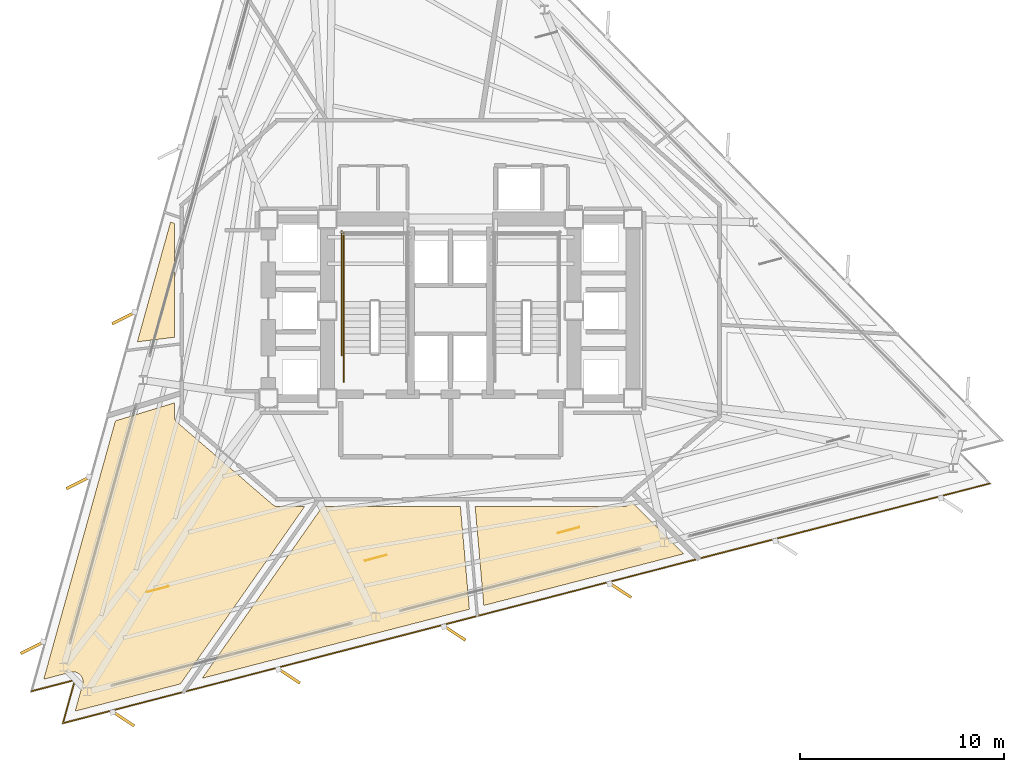
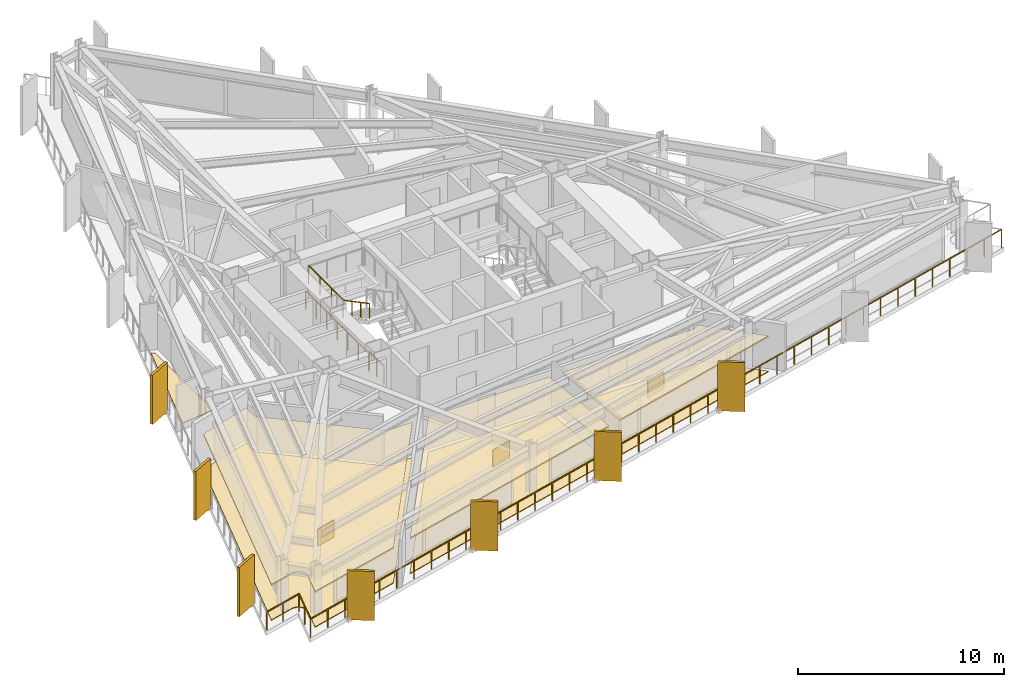
# One storey, part 9 of 11: 10 coverings, 7 shading devices, 5 railings.
"""IFC4 building model written with IfcOpenShell, lengths in metres."""

from ifc_helpers import new_model, si_unit, direction, frame, origin, origin_2d, place, context, subcontext, project, spatial, polyline, rectangle, outline, extrude, material, layer, layer_set, type_object, element, save


model = new_model("IFC4")

# Units and contexts
model_context = context("Model", 3, precision=1e-05, world=origin(), true_north=direction((0.0, 1.0)))
body_context = subcontext(model_context, "Body", "Model", "MODEL_VIEW")
ifc_project = project(units=[si_unit("LENGTHUNIT", "METRE"), si_unit("AREAUNIT", "SQUARE_METRE"), si_unit("VOLUMEUNIT", "CUBIC_METRE"), si_unit("PLANEANGLEUNIT", "RADIAN"), si_unit("MASSUNIT", "GRAM", prefix="KILO")], contexts=[model_context])

# Site, building, storey
site_placement = place(None, origin())
site = spatial("IfcSite", under=ifc_project, at=site_placement, CompositionType="ELEMENT")
building_placement = place(site_placement, origin())
building = spatial("IfcBuilding", under=site, at=building_placement, Name="Rocaltana Carrier Exchange", CompositionType="ELEMENT")
storey_placement = place(building_placement, frame((0.0, 0.0, 94.719970703125)))
storey = spatial("IfcBuildingStorey", under=building, at=storey_placement, Name="L29", CompositionType="ELEMENT", Elevation=94.719970703125)

# Coverings
ifc_material_1 = material(Name="Honed Bogota Sandstone Tile", Category="masonry")
ifc_layer_1 = layer(ifc_material_1, 0.0400390625)
ifc_layer_set_1 = layer_set([ifc_layer_1], Name="Honed Bogota Sandstone Tile")
covering_type_1 = type_object("IfcCoveringType", Name="Honed Stone Lobby Flooring 40", PredefinedType="FLOORING", material=ifc_layer_set_1)
covering_1_placement = place(storey_placement, origin())
element("IfcCovering", 1, at=covering_1_placement, inside=storey, type_object=covering_type_1, Name="L29 Carrier Peering Suite Finish Floor", PredefinedType="FLOORING", context=body_context, shape_type="SweptSolid", body=[
    extrude(outline(polyline([(-18.068359375, -18.33837890625), (-18.06494140625, -18.324951171875), (-18.060546875, -18.305419921875), (-18.055908203125, -18.278076171875), (-18.05322265625, -18.25830078125), (-18.051513671875, -18.230224609375), (-18.05078125, -18.21044921875), (-18.0517578125, -18.1826171875), (-18.05322265625, -18.16259765625), (-18.056884765625, -18.135009765625), (-18.060302734375, -18.115234375), (-18.066650390625, -18.088134765625), (-18.072265625, -18.069091796875), (-18.081298828125, -18.04248046875), (-18.08837890625, -18.02392578125), (-18.10009765625, -17.99853515625), (-18.109375, -17.98095703125), (-18.123291015625, -17.956787109375), (-18.13427734375, -17.940185546875), (-18.150634765625, -17.91748046875), (-18.1630859375, -17.90185546875), (-18.181640625, -17.881103515625), (-18.195556640625, -17.86669921875), (-18.216064453125, -17.847900390625), (-18.2314453125, -17.835205078125), (-18.25390625, -17.818359375), (-18.270263671875, -17.80712890625), (-18.294189453125, -17.792724609375), (-18.311767578125, -17.783203125), (-18.3369140625, -17.771240234375), (-18.355224609375, -17.763671875), (-18.381591796875, -17.754150390625), (-18.400634765625, -17.748291015625), (-18.427734375, -17.741455078125), (-18.447265625, -17.73779296875), (-18.474853515625, -17.733642578125), (-18.49462890625, -17.731689453125), (-18.522705078125, -17.73046875), (-18.54248046875, -17.73046875), (-18.5703125, -17.73193359375), (-18.59033203125, -17.73388671875), (-18.617919921875, -17.73828125), (-18.637451171875, -17.7421875), (-18.65087890625, -17.74560546875), (-19.97607421875, -18.088134765625), (-16.459716796875, -5.40869140625), (-13.56005859375, -4.522216796875), (-13.56005859375, -5.199951171875), (-13.559814453125, -5.21337890625), (-13.559326171875, -5.220947265625), (-13.556884765625, -5.24755859375), (-13.5556640625, -5.255126953125), (-13.550537109375, -5.281494140625), (-13.548828125, -5.288818359375), (-13.541259765625, -5.314453125), (-13.538818359375, -5.32177734375), (-13.52880859375, -5.346435546875), (-13.525634765625, -5.353515625), (-13.51318359375, -5.377197265625), (-13.509521484375, -5.3837890625), (-13.4951171875, -5.40625), (-13.490478515625, -5.41259765625), (-13.47412109375, -5.433349609375), (-13.468994140625, -5.439208984375), (-13.450439453125, -5.45849609375), (-13.44482421875, -5.4638671875), (-13.43505859375, -5.47265625), (-8.735107421875, -9.522705078125), (-8.72412109375, -9.53173828125), (-8.717529296875, -9.53662109375), (-8.6943359375, -9.552978515625), (-8.6875, -9.557373046875), (-8.66259765625, -9.571044921875), (-8.6552734375, -9.57470703125), (-8.629150390625, -9.5859375), (-8.62158203125, -9.5888671875), (-8.594482421875, -9.597412109375), (-8.58642578125, -9.599365234375), (-8.55859375, -9.60498046875), (-8.550537109375, -9.606201171875), (-8.522216796875, -9.609130859375), (-8.51416015625, -9.609619140625), (-8.5, -9.610107421875), (-7.16845703125, -9.610107421875), (-13.268310546875, -18.3212890625), (-18.43408203125, -19.6572265625), (-18.068359375, -18.33837890625)])), origin(), (0.0, 0.0, 1.0), 0.0400390625),
])
covering_2_placement = place(storey_placement, origin())
element("IfcCovering", 2, at=covering_2_placement, inside=storey, type_object=covering_type_1, Name="L29 Cloud Architecture Office Finish Floor", PredefinedType="FLOORING", context=body_context, shape_type="SweptSolid", body=[
    extrude(outline(polyline([(-12.19482421875, -18.043701171875), (-6.28955078125, -9.610107421875), (0.4794921875, -9.610107421875), (0.92041015625, -14.65185546875), (-12.19482421875, -18.043701171875)])), origin(), (0.0, 0.0, 1.0), 0.0400390625),
])
covering_3_placement = place(storey_placement, origin())
element("IfcCovering", 3, at=covering_3_placement, inside=storey, type_object=covering_type_1, Name="L29 Optical Switching Laboratory Finish Floor", PredefinedType="FLOORING", context=body_context, shape_type="SweptSolid", body=[
    extrude(outline(polyline([(1.627197265625, -14.468994140625), (1.2021484375, -9.610107421875), (8.5, -9.610107421875), (8.51416015625, -9.609619140625), (8.522216796875, -9.609130859375), (8.550537109375, -9.606201171875), (8.55859375, -9.60498046875), (8.58642578125, -9.599365234375), (8.594482421875, -9.597412109375), (8.62158203125, -9.5888671875), (8.629150390625, -9.5859375), (8.6552734375, -9.57470703125), (8.66259765625, -9.571044921875), (8.6875, -9.557373046875), (8.6943359375, -9.552978515625), (8.717529296875, -9.53662109375), (8.72412109375, -9.53173828125), (8.735107421875, -9.522705078125), (8.884521484375, -9.393798828125), (11.42578125, -11.93505859375), (1.627197265625, -14.468994140625)])), origin(), (0.0, 0.0, 1.0), 0.0400390625),
])
covering_4_placement = place(storey_placement, origin())
element("IfcCovering", 4, at=covering_4_placement, inside=storey, type_object=covering_type_1, Name="L29 Carrier Peering Suite Finish Floor", PredefinedType="FLOORING", context=body_context, shape_type="SweptSolid", body=[
    extrude(outline(polyline([(-13.752197265625, 4.3544921875), (-13.56005859375, 4.288330078125), (-13.56005859375, -1.30224609375), (-15.3828125, -1.526123046875), (-13.752197265625, 4.3544921875)])), origin(), (0.0, 0.0, 1.0), 0.0400390625),
])
ifc_material_2 = material(Name="Anodised Aluminium 6063-T6", Category="aluminium")
ifc_layer_2 = layer(ifc_material_2, 0.0849609375)
ifc_layer_set_2 = layer_set([ifc_layer_2], Name="Anodised Aluminium 6063-T6")
covering_type_2 = type_object("IfcCoveringType", Name="Linear Baffle Acoustic Ceiling 85", PredefinedType="CEILING", material=ifc_layer_set_2)
covering_5_placement = place(storey_placement, frame((0.0, 0.0, 2.052978515625)))
element("IfcCovering", 5, at=covering_5_placement, inside=storey, type_object=covering_type_2, Name="L29 Carrier Peering Suite Acoustic Ceiling", PredefinedType="CEILING", context=body_context, shape_type="SweptSolid", body=[
    extrude(outline(polyline([(-18.068359375, -18.33837890625), (-18.06494140625, -18.324951171875), (-18.060546875, -18.305419921875), (-18.055908203125, -18.278076171875), (-18.05322265625, -18.25830078125), (-18.051513671875, -18.230224609375), (-18.05078125, -18.21044921875), (-18.0517578125, -18.1826171875), (-18.05322265625, -18.16259765625), (-18.056884765625, -18.135009765625), (-18.060302734375, -18.115234375), (-18.066650390625, -18.088134765625), (-18.072265625, -18.069091796875), (-18.081298828125, -18.04248046875), (-18.08837890625, -18.02392578125), (-18.10009765625, -17.99853515625), (-18.109375, -17.98095703125), (-18.123291015625, -17.956787109375), (-18.13427734375, -17.940185546875), (-18.150634765625, -17.91748046875), (-18.1630859375, -17.90185546875), (-18.181640625, -17.881103515625), (-18.195556640625, -17.86669921875), (-18.216064453125, -17.847900390625), (-18.2314453125, -17.835205078125), (-18.25390625, -17.818359375), (-18.270263671875, -17.80712890625), (-18.294189453125, -17.792724609375), (-18.311767578125, -17.783203125), (-18.3369140625, -17.771240234375), (-18.355224609375, -17.763671875), (-18.381591796875, -17.754150390625), (-18.400634765625, -17.748291015625), (-18.427734375, -17.741455078125), (-18.447265625, -17.73779296875), (-18.474853515625, -17.733642578125), (-18.49462890625, -17.731689453125), (-18.522705078125, -17.73046875), (-18.54248046875, -17.73046875), (-18.5703125, -17.73193359375), (-18.59033203125, -17.73388671875), (-18.617919921875, -17.73828125), (-18.637451171875, -17.7421875), (-18.65087890625, -17.74560546875), (-19.97607421875, -18.088134765625), (-16.459716796875, -5.40869140625), (-13.56005859375, -4.522216796875), (-13.56005859375, -5.199951171875), (-13.559814453125, -5.21337890625), (-13.559326171875, -5.220947265625), (-13.556884765625, -5.24755859375), (-13.5556640625, -5.255126953125), (-13.550537109375, -5.281494140625), (-13.548828125, -5.288818359375), (-13.541259765625, -5.314453125), (-13.538818359375, -5.32177734375), (-13.52880859375, -5.346435546875), (-13.525634765625, -5.353515625), (-13.51318359375, -5.377197265625), (-13.509521484375, -5.3837890625), (-13.4951171875, -5.40625), (-13.490478515625, -5.41259765625), (-13.47412109375, -5.433349609375), (-13.468994140625, -5.439208984375), (-13.450439453125, -5.45849609375), (-13.44482421875, -5.4638671875), (-13.43505859375, -5.47265625), (-8.735107421875, -9.522705078125), (-8.72412109375, -9.53173828125), (-8.717529296875, -9.53662109375), (-8.6943359375, -9.552978515625), (-8.6875, -9.557373046875), (-8.66259765625, -9.571044921875), (-8.6552734375, -9.57470703125), (-8.629150390625, -9.5859375), (-8.62158203125, -9.5888671875), (-8.594482421875, -9.597412109375), (-8.58642578125, -9.599365234375), (-8.55859375, -9.60498046875), (-8.550537109375, -9.606201171875), (-8.522216796875, -9.609130859375), (-8.51416015625, -9.609619140625), (-8.5, -9.610107421875), (-7.16845703125, -9.610107421875), (-13.268310546875, -18.3212890625), (-18.43408203125, -19.6572265625), (-18.068359375, -18.33837890625)])), origin(), (0.0, 0.0, 1.0), 0.0849609375),
])
covering_6_placement = place(storey_placement, frame((0.0, 0.0, 2.052978515625)))
element("IfcCovering", 6, at=covering_6_placement, inside=storey, type_object=covering_type_2, Name="L29 Cloud Architecture Office Acoustic Ceiling", PredefinedType="CEILING", context=body_context, shape_type="SweptSolid", body=[
    extrude(outline(polyline([(-12.19482421875, -18.043701171875), (-6.28955078125, -9.610107421875), (0.4794921875, -9.610107421875), (0.92041015625, -14.65185546875), (-12.19482421875, -18.043701171875)])), origin(), (0.0, 0.0, 1.0), 0.0849609375),
])
covering_7_placement = place(storey_placement, frame((0.0, 0.0, 2.052978515625)))
element("IfcCovering", 7, at=covering_7_placement, inside=storey, type_object=covering_type_2, Name="L29 Optical Switching Laboratory Acoustic Ceiling", PredefinedType="CEILING", context=body_context, shape_type="SweptSolid", body=[
    extrude(outline(polyline([(1.627197265625, -14.468994140625), (1.2021484375, -9.610107421875), (8.5, -9.610107421875), (8.51416015625, -9.609619140625), (8.522216796875, -9.609130859375), (8.550537109375, -9.606201171875), (8.55859375, -9.60498046875), (8.58642578125, -9.599365234375), (8.594482421875, -9.597412109375), (8.62158203125, -9.5888671875), (8.629150390625, -9.5859375), (8.6552734375, -9.57470703125), (8.66259765625, -9.571044921875), (8.6875, -9.557373046875), (8.6943359375, -9.552978515625), (8.717529296875, -9.53662109375), (8.72412109375, -9.53173828125), (8.735107421875, -9.522705078125), (8.884521484375, -9.393798828125), (11.42578125, -11.93505859375), (1.627197265625, -14.468994140625)])), origin(), (0.0, 0.0, 1.0), 0.0849609375),
])

# Railings
ifc_material_3 = material(Name="Brushed Architectural Stainless Tube", Category="steel")
ifc_layer_3 = layer(ifc_material_3, 0.048095703125)
ifc_layer_set_3 = layer_set([ifc_layer_3], Name="Brushed Architectural Stainless Tube")
railing_type_1 = type_object("IfcRailingType", Name="Stair Wall Handrail 920", PredefinedType="HANDRAIL", material=ifc_layer_set_3)
railing_1_placement = place(storey_placement, frame((-5.25, 0.4599609375, 1.68896484375)))
element("IfcRailing", 8, at=railing_1_placement, inside=storey, type_object=railing_type_1, Name="L29 ST-1 stair handrail 2", PredefinedType="HANDRAIL", context=body_context, shape_type="SweptSolid", body=[
    extrude(rectangle(XDim=0.048095703125, YDim=0.048095703125, at=origin_2d()), frame((0.0, 0.0, 0.8759765625), z_axis=(0.0, -0.884394423565, 0.466740295633), x_axis=(1.0, 0.0, 0.0)), (0.0, 0.0, 1.0), 2.894775390625),
    extrude(rectangle(XDim=0.0419921875, YDim=0.0419921875, at=origin_2d()), origin(), (0.0, 0.0, 1.0), 0.851806640625),
    extrude(rectangle(XDim=0.0419921875, YDim=0.0419921875, at=origin_2d()), frame((0.0, -0.853271484375, 0.450439453125)), (0.0, 0.0, 1.0), 0.851806640625),
    extrude(rectangle(XDim=0.0419921875, YDim=0.0419921875, at=origin_2d()), frame((0.0, -1.706787109375, 0.900634765625)), (0.0, 0.0, 1.0), 0.851806640625),
    extrude(rectangle(XDim=0.0419921875, YDim=0.0419921875, at=origin_2d()), frame((0.0, -2.56005859375, 1.35107421875)), (0.0, 0.0, 1.0), 0.851806640625),
])
ifc_material_4 = material(Name="Powder-Coated Aluminium 6063-T6", Category="aluminium")
ifc_layer_4 = layer(ifc_material_4, 0.048095703125)
ifc_layer_set_4 = layer_set([ifc_layer_4], Name="Powder-Coated Aluminium 6063-T6")
railing_type_2 = type_object("IfcRailingType", Name="Stair Well Guardrail 1100", PredefinedType="GUARDRAIL", material=ifc_layer_set_4)
railing_2_placement = place(storey_placement, frame((-5.25, 0.4599609375, 1.52001953125)))
element("IfcRailing", 9, at=railing_2_placement, inside=storey, type_object=railing_type_2, Name="L29 ST-1 stair guard 4", PredefinedType="GUARDRAIL", context=body_context, shape_type="SweptSolid", body=[
    extrude(rectangle(XDim=0.048095703125, YDim=0.048095703125, at=origin_2d()), frame((0.0, 0.0, 1.076171875), z_axis=(0.0, 1.0, 0.0), x_axis=(-1.0, 0.0, 0.0)), (0.0, 0.0, 1.0), 3.340087890625),
    extrude(rectangle(XDim=0.0419921875, YDim=0.0419921875, at=origin_2d()), origin(), (0.0, 0.0, 1.0), 1.052001953125),
    extrude(rectangle(XDim=0.0419921875, YDim=0.0419921875, at=origin_2d()), frame((0.0, 1.11328125, 0.0)), (0.0, 0.0, 1.0), 1.052001953125),
    extrude(rectangle(XDim=0.0419921875, YDim=0.0419921875, at=origin_2d()), frame((0.0, 2.226806640625, 0.0)), (0.0, 0.0, 1.0), 1.052001953125),
    extrude(rectangle(XDim=0.0419921875, YDim=0.0419921875, at=origin_2d()), frame((0.0, 3.340087890625, 0.0)), (0.0, 0.0, 1.0), 1.052001953125),
])
railing_3_placement = place(storey_placement, frame((-5.25, -3.5, 0.0)))
element("IfcRailing", 10, at=railing_3_placement, inside=storey, type_object=railing_type_2, Name="L29 ST-1 stair guard 9", PredefinedType="GUARDRAIL", context=body_context, shape_type="SweptSolid", body=[
    extrude(rectangle(XDim=0.048095703125, YDim=0.048095703125, at=origin_2d()), frame((0.0, 0.0, 1.076171875), z_axis=(0.0, 1.0, 0.0), x_axis=(-1.0, 0.0, 0.0)), (0.0, 0.0, 1.0), 1.39990234375),
    extrude(rectangle(XDim=0.0419921875, YDim=0.0419921875, at=origin_2d()), origin(), (0.0, 0.0, 1.0), 1.052001953125),
    extrude(rectangle(XDim=0.0419921875, YDim=0.0419921875, at=origin_2d()), frame((0.0, 0.699951171875, 0.0)), (0.0, 0.0, 1.0), 1.052001953125),
    extrude(rectangle(XDim=0.0419921875, YDim=0.0419921875, at=origin_2d()), frame((0.0, 1.39990234375, 0.0)), (0.0, 0.0, 1.0), 1.052001953125),
])
railing_4_placement = place(storey_placement, frame((-5.35009765625, -2.199951171875, 0.0)))
element("IfcRailing", 11, at=railing_4_placement, inside=storey, type_object=railing_type_2, Name="L29 ST-1 stair guard 11", PredefinedType="GUARDRAIL", context=body_context, shape_type="SweptSolid", body=[
    extrude(rectangle(XDim=0.048095703125, YDim=0.048095703125, at=origin_2d()), frame((0.0, 0.0, 1.076171875), z_axis=(0.0, 1.0, 0.0), x_axis=(-1.0, 0.0, 0.0)), (0.0, 0.0, 1.0), 6.099853515625),
    extrude(rectangle(XDim=0.0419921875, YDim=0.0419921875, at=origin_2d()), origin(), (0.0, 0.0, 1.0), 1.052001953125),
    extrude(rectangle(XDim=0.0419921875, YDim=0.0419921875, at=origin_2d()), frame((0.0, 1.0166015625, 0.0)), (0.0, 0.0, 1.0), 1.052001953125),
    extrude(rectangle(XDim=0.0419921875, YDim=0.0419921875, at=origin_2d()), frame((0.0, 2.033203125, 0.0)), (0.0, 0.0, 1.0), 1.052001953125),
    extrude(rectangle(XDim=0.0419921875, YDim=0.0419921875, at=origin_2d()), frame((0.0, 3.0498046875, 0.0)), (0.0, 0.0, 1.0), 1.052001953125),
    extrude(rectangle(XDim=0.0419921875, YDim=0.0419921875, at=origin_2d()), frame((0.0, 4.066650390625, 0.0)), (0.0, 0.0, 1.0), 1.052001953125),
    extrude(rectangle(XDim=0.0419921875, YDim=0.0419921875, at=origin_2d()), frame((0.0, 5.083251953125, 0.0)), (0.0, 0.0, 1.0), 1.052001953125),
    extrude(rectangle(XDim=0.0419921875, YDim=0.0419921875, at=origin_2d()), frame((0.0, 6.099853515625, 0.0)), (0.0, 0.0, 1.0), 1.052001953125),
])

# Coverings
ifc_material_5 = material(Name="Honed Piedra Muneca Sandstone", Category="masonry")
ifc_layer_5 = layer(ifc_material_5, 0.034912109375)
ifc_layer_set_5 = layer_set([ifc_layer_5], Name="Honed Piedra Muneca Sandstone")
covering_type_3 = type_object("IfcCoveringType", Name="Stone Facade Cladding 35", PredefinedType="CLADDING", material=ifc_layer_set_5)
for number, where, z_axis, x_axis, name in (
    (12, (-14.381103515625, -13.670166015625, 0.0), (0.0, 0.0, 1.0), (0.965925826289, 0.258819045103, 0.0), "L29 Stone Facade Cladding Panel 2"),
    (13, (-3.677490234375, -12.130859375, 0.0), (0.0, 0.0, 1.0), (0.965925826289, 0.258819045103, 0.0), "L29 Stone Facade Cladding Panel 3"),
    (14, (5.78369140625, -10.7724609375, 0.0), (0.0, 0.0, 1.0), (0.965925826289, 0.258819045103, 0.0), "L29 Stone Facade Cladding Panel 4"),
):
    element("IfcCovering", number, at=place(storey_placement, frame(where, z_axis=z_axis, x_axis=x_axis)), inside=storey, type_object=covering_type_3, Name=name, PredefinedType="CLADDING", context=body_context, shape_type="SweptSolid", body=[
        extrude(rectangle(XDim=1.10009765625, YDim=0.034912109375, at=origin_2d()), origin(), (0.0, 0.0, 1.0), 1.050048828125),
    ])

# Shading devices
ifc_material_6 = material(Name="Honed Bogota Sandstone & Concrete C45/55", Category="masonry")
ifc_layer_6 = layer(ifc_material_6, 0.139892578125)
ifc_layer_set_6 = layer_set([ifc_layer_6], Name="Honed Bogota Sandstone & Concrete C45/55")
shading_device_type = type_object("IfcShadingDeviceType", Name="Vertical Sandstone Shading Fin 1320x140", PredefinedType="USERDEFINED", material=ifc_layer_set_6)
for number, where, z_axis, x_axis, name in (
    (15, (-16.031005859375, -0.34326171875, -0.1201171875), (0.0, 0.0, 1.0), (-0.894934361602, -0.44619781311, 0.0), "L29 Sandstone Vertical Fin F2-04"),
    (16, (-18.27587890625, -8.437744140625, -0.1201171875), (0.0, 0.0, 1.0), (-0.894934361602, -0.44619781311, 0.0), "L29 Sandstone Vertical Fin F2-05"),
    (17, (-20.520751953125, -16.5322265625, -0.1201171875), (0.0, 0.0, 1.0), (-0.894934361602, -0.44619781311, 0.0), "L29 Sandstone Vertical Fin F2-06"),
    (18, (-16.08447265625, -20.021484375, -0.1201171875), (0.0, 0.0, 1.0), (0.833885822067, -0.551936985312, 0.0), "L29 Sandstone Vertical Fin F3-01"),
    (19, (-7.9521484375, -17.918212890625, -0.1201171875), (0.0, 0.0, 1.0), (0.833885822067, -0.551936985312, 0.0), "L29 Sandstone Vertical Fin F3-02"),
    (20, (0.180419921875, -15.81494140625, -0.1201171875), (0.0, 0.0, 1.0), (0.833885822067, -0.551936985312, 0.0), "L29 Sandstone Vertical Fin F3-03"),
    (21, (8.312744140625, -13.7119140625, -0.1201171875), (0.0, 0.0, 1.0), (0.833885822067, -0.551936985312, 0.0), "L29 Sandstone Vertical Fin F3-04"),
):
    element("IfcShadingDevice", number, at=place(storey_placement, frame(where, z_axis=z_axis, x_axis=x_axis)), inside=storey, type_object=shading_device_type, Name=name, ObjectType="FIN", PredefinedType="USERDEFINED", context=body_context, shape_type="SweptSolid", body=[
        extrude(rectangle(XDim=1.320068359375, YDim=0.139892578125, at=origin_2d()), origin(), (0.0, 0.0, 1.0), 2.907958984375),
    ])

# Railing
ifc_material_7 = material(Name="Powder-Coated Aluminium 6063-T6", Category="aluminium")
ifc_layer_7 = layer(ifc_material_7, 0.06005859375)
ifc_layer_set_7 = layer_set([ifc_layer_7], Name="Powder-Coated Aluminium 6063-T6")
railing_type_3 = type_object("IfcRailingType", Name="Wind-Floor & Terrace Perimeter Guardrail 1100", PredefinedType="GUARDRAIL", material=ifc_layer_set_7)
railing_5_placement = place(storey_placement, frame((26.46240234375, -8.47998046875, 0.0)))
element("IfcRailing", 22, at=railing_5_placement, inside=storey, type_object=railing_type_3, Name="L29 Perimeter Balcony Guardrail 1", PredefinedType="GUARDRAIL", context=body_context, shape_type="SweptSolid", body=[
    extrude(rectangle(XDim=0.048095703125, YDim=0.048095703125, at=origin_2d()), frame((0.0, 0.0, 1.076171875), z_axis=(-0.968146868185, -0.250382989886, 0.0), x_axis=(0.250382989886, -0.968146868185, 0.0)), (0.0, 0.0, 1.0), 46.992431640625),
    extrude(rectangle(XDim=0.048095703125, YDim=0.048095703125, at=origin_2d()), frame((-45.49560546875, -11.76611328125, 1.076171875), z_axis=(0.267237446942, 0.96363071088, 0.0), x_axis=(-0.96363071088, 0.267237446942, 0.0)), (0.0, 0.0, 1.0), 2.199951171875),
    extrude(rectangle(XDim=0.048095703125, YDim=0.048095703125, at=origin_2d()), frame((-44.90771484375, -9.646240234375, 1.076171875), z_axis=(-0.968152477167, -0.250361300835, 0.0), x_axis=(0.250361300835, -0.968152477167, 0.0)), (0.0, 0.0, 1.0), 2.199951171875),
    extrude(rectangle(XDim=0.0419921875, YDim=0.0419921875, at=origin_2d()), origin(), (0.0, 0.0, 1.0), 1.052001953125),
    extrude(rectangle(XDim=0.0419921875, YDim=0.0419921875, at=origin_2d()), frame((-1.137451171875, -0.294189453125, 0.0)), (0.0, 0.0, 1.0), 1.052001953125),
    extrude(rectangle(XDim=0.0419921875, YDim=0.0419921875, at=origin_2d()), frame((-2.27490234375, -0.58837890625, 0.0)), (0.0, 0.0, 1.0), 1.052001953125),
    extrude(rectangle(XDim=0.0419921875, YDim=0.0419921875, at=origin_2d()), frame((-3.412109375, -0.882568359375, 0.0)), (0.0, 0.0, 1.0), 1.052001953125),
    extrude(rectangle(XDim=0.0419921875, YDim=0.0419921875, at=origin_2d()), frame((-4.549560546875, -1.176513671875, 0.0)), (0.0, 0.0, 1.0), 1.052001953125),
    extrude(rectangle(XDim=0.0419921875, YDim=0.0419921875, at=origin_2d()), frame((-5.68701171875, -1.470703125, 0.0)), (0.0, 0.0, 1.0), 1.052001953125),
    extrude(rectangle(XDim=0.0419921875, YDim=0.0419921875, at=origin_2d()), frame((-6.82421875, -1.764892578125, 0.0)), (0.0, 0.0, 1.0), 1.052001953125),
    extrude(rectangle(XDim=0.0419921875, YDim=0.0419921875, at=origin_2d()), frame((-7.961669921875, -2.05908203125, 0.0)), (0.0, 0.0, 1.0), 1.052001953125),
    extrude(rectangle(XDim=0.0419921875, YDim=0.0419921875, at=origin_2d()), frame((-9.09912109375, -2.353271484375, 0.0)), (0.0, 0.0, 1.0), 1.052001953125),
    extrude(rectangle(XDim=0.0419921875, YDim=0.0419921875, at=origin_2d()), frame((-10.236572265625, -2.6474609375, 0.0)), (0.0, 0.0, 1.0), 1.052001953125),
    extrude(rectangle(XDim=0.0419921875, YDim=0.0419921875, at=origin_2d()), frame((-11.3740234375, -2.94140625, 0.0)), (0.0, 0.0, 1.0), 1.052001953125),
    extrude(rectangle(XDim=0.0419921875, YDim=0.0419921875, at=origin_2d()), frame((-12.51123046875, -3.235595703125, 0.0)), (0.0, 0.0, 1.0), 1.052001953125),
    extrude(rectangle(XDim=0.0419921875, YDim=0.0419921875, at=origin_2d()), frame((-13.648681640625, -3.52978515625, 0.0)), (0.0, 0.0, 1.0), 1.052001953125),
    extrude(rectangle(XDim=0.0419921875, YDim=0.0419921875, at=origin_2d()), frame((-14.7861328125, -3.823974609375, 0.0)), (0.0, 0.0, 1.0), 1.052001953125),
    extrude(rectangle(XDim=0.0419921875, YDim=0.0419921875, at=origin_2d()), frame((-15.92333984375, -4.1181640625, 0.0)), (0.0, 0.0, 1.0), 1.052001953125),
    extrude(rectangle(XDim=0.0419921875, YDim=0.0419921875, at=origin_2d()), frame((-17.060791015625, -4.412353515625, 0.0)), (0.0, 0.0, 1.0), 1.052001953125),
    extrude(rectangle(XDim=0.0419921875, YDim=0.0419921875, at=origin_2d()), frame((-18.1982421875, -4.70654296875, 0.0)), (0.0, 0.0, 1.0), 1.052001953125),
    extrude(rectangle(XDim=0.0419921875, YDim=0.0419921875, at=origin_2d()), frame((-19.335693359375, -5.00048828125, 0.0)), (0.0, 0.0, 1.0), 1.052001953125),
    extrude(rectangle(XDim=0.0419921875, YDim=0.0419921875, at=origin_2d()), frame((-20.47314453125, -5.294677734375, 0.0)), (0.0, 0.0, 1.0), 1.052001953125),
    extrude(rectangle(XDim=0.0419921875, YDim=0.0419921875, at=origin_2d()), frame((-21.6103515625, -5.5888671875, 0.0)), (0.0, 0.0, 1.0), 1.052001953125),
    extrude(rectangle(XDim=0.0419921875, YDim=0.0419921875, at=origin_2d()), frame((-22.747802734375, -5.883056640625, 0.0)), (0.0, 0.0, 1.0), 1.052001953125),
    extrude(rectangle(XDim=0.0419921875, YDim=0.0419921875, at=origin_2d()), frame((-23.88525390625, -6.17724609375, 0.0)), (0.0, 0.0, 1.0), 1.052001953125),
    extrude(rectangle(XDim=0.0419921875, YDim=0.0419921875, at=origin_2d()), frame((-25.022705078125, -6.471435546875, 0.0)), (0.0, 0.0, 1.0), 1.052001953125),
    extrude(rectangle(XDim=0.0419921875, YDim=0.0419921875, at=origin_2d()), frame((-26.159912109375, -6.765625, 0.0)), (0.0, 0.0, 1.0), 1.052001953125),
    extrude(rectangle(XDim=0.0419921875, YDim=0.0419921875, at=origin_2d()), frame((-27.29736328125, -7.0595703125, 0.0)), (0.0, 0.0, 1.0), 1.052001953125),
    extrude(rectangle(XDim=0.0419921875, YDim=0.0419921875, at=origin_2d()), frame((-28.434814453125, -7.353759765625, 0.0)), (0.0, 0.0, 1.0), 1.052001953125),
    extrude(rectangle(XDim=0.0419921875, YDim=0.0419921875, at=origin_2d()), frame((-29.572265625, -7.64794921875, 0.0)), (0.0, 0.0, 1.0), 1.052001953125),
    extrude(rectangle(XDim=0.0419921875, YDim=0.0419921875, at=origin_2d()), frame((-30.70947265625, -7.942138671875, 0.0)), (0.0, 0.0, 1.0), 1.052001953125),
    extrude(rectangle(XDim=0.0419921875, YDim=0.0419921875, at=origin_2d()), frame((-31.846923828125, -8.236328125, 0.0)), (0.0, 0.0, 1.0), 1.052001953125),
    extrude(rectangle(XDim=0.0419921875, YDim=0.0419921875, at=origin_2d()), frame((-32.984375, -8.530517578125, 0.0)), (0.0, 0.0, 1.0), 1.052001953125),
    extrude(rectangle(XDim=0.0419921875, YDim=0.0419921875, at=origin_2d()), frame((-34.12158203125, -8.82470703125, 0.0)), (0.0, 0.0, 1.0), 1.052001953125),
    extrude(rectangle(XDim=0.0419921875, YDim=0.0419921875, at=origin_2d()), frame((-35.259033203125, -9.11865234375, 0.0)), (0.0, 0.0, 1.0), 1.052001953125),
    extrude(rectangle(XDim=0.0419921875, YDim=0.0419921875, at=origin_2d()), frame((-36.396484375, -9.412841796875, 0.0)), (0.0, 0.0, 1.0), 1.052001953125),
    extrude(rectangle(XDim=0.0419921875, YDim=0.0419921875, at=origin_2d()), frame((-37.533935546875, -9.70703125, 0.0)), (0.0, 0.0, 1.0), 1.052001953125),
    extrude(rectangle(XDim=0.0419921875, YDim=0.0419921875, at=origin_2d()), frame((-38.67138671875, -10.001220703125, 0.0)), (0.0, 0.0, 1.0), 1.052001953125),
    extrude(rectangle(XDim=0.0419921875, YDim=0.0419921875, at=origin_2d()), frame((-39.80859375, -10.29541015625, 0.0)), (0.0, 0.0, 1.0), 1.052001953125),
    extrude(rectangle(XDim=0.0419921875, YDim=0.0419921875, at=origin_2d()), frame((-40.946044921875, -10.589599609375, 0.0)), (0.0, 0.0, 1.0), 1.052001953125),
    extrude(rectangle(XDim=0.0419921875, YDim=0.0419921875, at=origin_2d()), frame((-42.08349609375, -10.883544921875, 0.0)), (0.0, 0.0, 1.0), 1.052001953125),
    extrude(rectangle(XDim=0.0419921875, YDim=0.0419921875, at=origin_2d()), frame((-43.220703125, -11.177734375, 0.0)), (0.0, 0.0, 1.0), 1.052001953125),
    extrude(rectangle(XDim=0.0419921875, YDim=0.0419921875, at=origin_2d()), frame((-44.358154296875, -11.471923828125, 0.0)), (0.0, 0.0, 1.0), 1.052001953125),
    extrude(rectangle(XDim=0.0419921875, YDim=0.0419921875, at=origin_2d()), frame((-45.49560546875, -11.76611328125, 0.0)), (0.0, 0.0, 1.0), 1.052001953125),
    extrude(rectangle(XDim=0.0419921875, YDim=0.0419921875, at=origin_2d()), frame((-45.20166015625, -10.7060546875, 0.0)), (0.0, 0.0, 1.0), 1.052001953125),
    extrude(rectangle(XDim=0.0419921875, YDim=0.0419921875, at=origin_2d()), frame((-44.90771484375, -9.646240234375, 0.0)), (0.0, 0.0, 1.0), 1.052001953125),
    extrude(rectangle(XDim=0.0419921875, YDim=0.0419921875, at=origin_2d()), frame((-45.97265625, -9.921630859375, 0.0)), (0.0, 0.0, 1.0), 1.052001953125),
    extrude(rectangle(XDim=0.0419921875, YDim=0.0419921875, at=origin_2d()), frame((-47.03759765625, -10.197021484375, 0.0)), (0.0, 0.0, 1.0), 1.052001953125),
])

save(model, "model.ifc")
